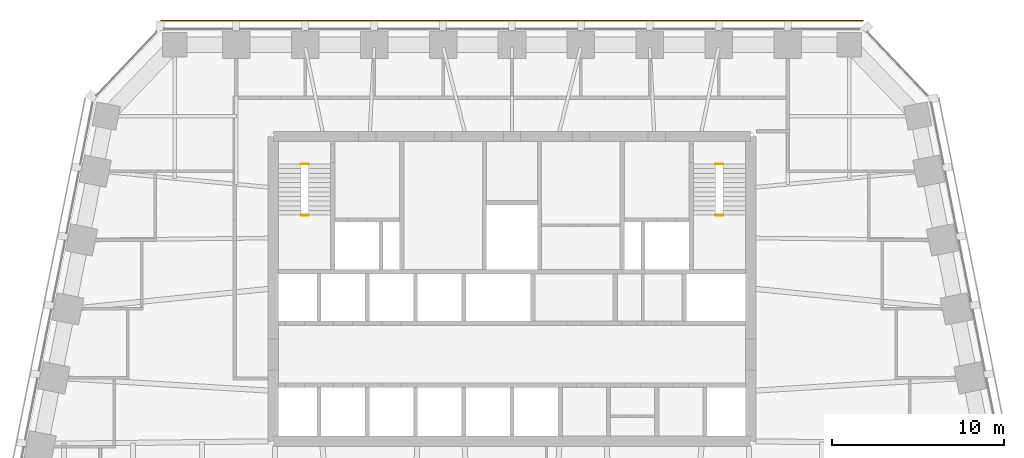
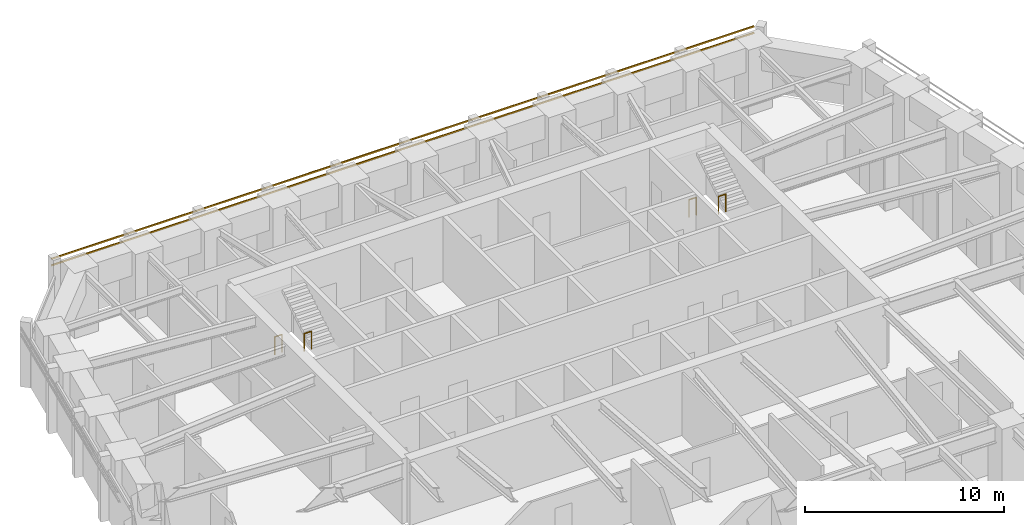
# One storey, part 11 of 11: 4 railings, 2 shading devices.
"""IFC4 building model written with IfcOpenShell, lengths in metres."""

import ifcopenshell
import ifcopenshell.guid

model = None  # the IFC model being written
_history = None  # IfcOwnerHistory: only IFC2X3 demands one
_inside = {}  # id of a spatial element -> (the spatial element, [elements in it])
_under = {}  # id of a project, library or spatial element -> (it, [spatial elements below it])
_declared = {}  # id of a project -> (the project, [libraries it declares])
_typed = {}  # id of a type object -> (the type object, [elements of that type])
_made_of = {}  # id of a material, layer set ... -> (it, [elements and type objects made of it])


def new_model(schema):
    """Start an empty IFC model of exactly this schema.

    Asked for "IFC4X3", IfcOpenShell would pick the latest addendum, in which some entities
    have other attributes; the version numbers below select the first issue.
    IFC2X3 requires an IfcOwnerHistory on every rooted entity: one is made here for all.
    """
    global model, _history
    if schema == "IFC4X3":
        model = ifcopenshell.file(schema_version=(4, 3, 0, 0))
    else:
        model = ifcopenshell.file(schema=schema)
    _inside.clear()
    _under.clear()
    _declared.clear()
    _typed.clear()
    _made_of.clear()
    _history = None
    if model.schema == "IFC2X3":
        org = make("IfcOrganization", Name="unknown")
        user = make(
            "IfcPersonAndOrganization",
            ThePerson=make("IfcPerson", FamilyName="unknown"),
            TheOrganization=org,
        )
        app = make(
            "IfcApplication",
            ApplicationDeveloper=org,
            Version="unknown",
            ApplicationFullName="unknown",
            ApplicationIdentifier="unknown",
        )
        _history = make(
            "IfcOwnerHistory",
            OwningUser=user,
            OwningApplication=app,
            ChangeAction="ADDED",
            CreationDate=0,
        )
    return model


def make(cls, **values):
    """One entity of the class cls with the attributes given. An attribute that is None is left unset."""
    return model.create_entity(
        cls, **{name: value for name, value in values.items() if value is not None}
    )


def rooted(cls, **values):
    """An entity with a GlobalId (a new one), such as an element, a storey or a relation."""
    return make(cls, GlobalId=ifcopenshell.guid.new(), OwnerHistory=_history, **values)


def si_unit(unit_type, name, prefix=None):
    """IfcSIUnit, for example si_unit("LENGTHUNIT", "METRE", prefix="MILLI")."""
    return make("IfcSIUnit", UnitType=unit_type, Prefix=prefix, Name=name)


def assignment(units):
    """IfcUnitAssignment: the units of a project."""
    return None if units is None else make("IfcUnitAssignment", Units=units)


def point(xyz):
    """IfcCartesianPoint."""
    return None if xyz is None else make("IfcCartesianPoint", Coordinates=xyz)


def direction(xyz):
    """IfcDirection."""
    return None if xyz is None else make("IfcDirection", DirectionRatios=xyz)


def frame(location, z_axis=None, x_axis=None):
    """IfcAxis2Placement3D, a coordinate frame: its origin and axes. An axis left out is left unset."""
    return make(
        "IfcAxis2Placement3D",
        Location=point(location),
        Axis=direction(z_axis),
        RefDirection=direction(x_axis),
    )


def frame_2d(location, x_axis=None):
    """IfcAxis2Placement2D, a coordinate frame in the plane: its origin and x axis."""
    return make(
        "IfcAxis2Placement2D", Location=point(location), RefDirection=direction(x_axis)
    )


def origin():
    """The frame at (0, 0, 0) with its axes left unset."""
    return frame((0.0, 0.0, 0.0))


def origin_2d():
    """The frame at (0, 0) in the plane with its x axis left unset."""
    return frame_2d((0.0, 0.0))


def place(relative_to, where):
    """IfcLocalPlacement: puts the frame where relative to a parent placement (None: the world)."""
    return make(
        "IfcLocalPlacement", PlacementRelTo=relative_to, RelativePlacement=where
    )


def context(
    kind, dimensions, precision=None, world=None, true_north=None, identifier=None
):
    """IfcGeometricRepresentationContext, for example the 3D "Model" context."""
    return make(
        "IfcGeometricRepresentationContext",
        ContextIdentifier=identifier,
        ContextType=kind,
        CoordinateSpaceDimension=dimensions,
        Precision=precision,
        WorldCoordinateSystem=world,
        TrueNorth=true_north,
    )


def subcontext(parent, identifier, kind, view, scale=None):
    """IfcGeometricRepresentationSubContext, for example "Body" below "Model"."""
    return make(
        "IfcGeometricRepresentationSubContext",
        ContextIdentifier=identifier,
        ContextType=kind,
        ParentContext=parent,
        TargetScale=scale,
        TargetView=view,
    )


def project(units=None, contexts=None):
    """IfcProject with its units and contexts."""
    return rooted(
        "IfcProject",
        Name="project",
        RepresentationContexts=contexts,
        UnitsInContext=assignment(units),
    )


def spatial(cls, under=None, at=None, **own):
    """A site, building, storey or space (cls), placed at a placement, below another one or the project."""
    s = rooted(cls, ObjectPlacement=at, **own)
    if under is not None:
        _under.setdefault(under.id(), (under, []))[1].append(s)
    return s


def profile(cls, at=None, kind="AREA", **sizes):
    """A parametric profile (cls). Its sizes go by their IFC names, for example OverallWidth=200.0."""
    return make(cls, ProfileType=kind, Position=at, **sizes)


def rectangle(**sizes):
    """IfcRectangleProfileDef."""
    return profile("IfcRectangleProfileDef", **sizes)


def circle(**sizes):
    """IfcCircleProfileDef."""
    return profile("IfcCircleProfileDef", **sizes)


def extrude(swept, where, along, depth):
    """IfcExtrudedAreaSolid: the profile swept, set in the frame where, extruded along a direction by depth."""
    return make(
        "IfcExtrudedAreaSolid",
        SweptArea=swept,
        Position=where,
        ExtrudedDirection=direction(along),
        Depth=depth,
    )


def shape(context_of_items, identifier, shape_type, items):
    """IfcShapeRepresentation: the items that make up one representation, for example the "Body"."""
    return make(
        "IfcShapeRepresentation",
        ContextOfItems=context_of_items,
        RepresentationIdentifier=identifier,
        RepresentationType=shape_type,
        Items=items,
    )


def material(Name=None, Category=None):
    """IfcMaterial."""
    return make("IfcMaterial", Name=Name, Category=Category)


def material_profile(
    of_material, cross_section, Name=None, Category=None, Priority=None
):
    """IfcMaterialProfile: a cross section and its material."""
    return make(
        "IfcMaterialProfile",
        Name=Name,
        Material=of_material,
        Profile=cross_section,
        Priority=Priority,
        Category=Category,
    )


def profile_set(profiles, Name=None, composite=None):
    """IfcMaterialProfileSet."""
    return make(
        "IfcMaterialProfileSet",
        Name=Name,
        MaterialProfiles=profiles,
        CompositeProfile=composite,
    )


def made_of(thing, what):
    """Note that an element or type object is made of a material, layer set ...; save() writes the relation."""
    if what is not None:
        _made_of.setdefault(what.id(), (what, []))[1].append(thing)
    return thing


def type_object(cls, material=None, **own):
    """A type object (cls), such as IfcWallType, which elements share."""
    return made_of(rooted(cls, **own), material)


def element(
    cls,
    number,
    at=None,
    inside=None,
    cuts=None,
    type_object=None,
    material=None,
    context=None,
    identifier="Body",
    shape_type=None,
    held_by="IfcProductDefinitionShape",
    body=None,
    shapes=None,
    **own,
):
    """One element of the class cls, such as IfcWall. Its Tag is "e" and its number.

    at: its placement. inside: the storey or other place that contains it. cuts: it is an
    opening in that element (IfcRelVoidsElement). A single representation is given by context,
    identifier, shape_type and body (its items); several are given by shapes. held_by: the class
    of the entity that holds the representations. save() writes the other relations.
    """
    e = rooted(cls, Tag="e%d" % number, ObjectPlacement=at, **own)
    if body is not None:
        shapes = [shape(context, identifier, shape_type, body)]
    if shapes is not None:
        e.Representation = make(held_by, Representations=shapes)
    if inside is not None:
        _inside.setdefault(inside.id(), (inside, []))[1].append(e)
    if cuts is not None:
        rooted(
            "IfcRelVoidsElement", RelatingBuildingElement=cuts, RelatedOpeningElement=e
        )
    if type_object is not None:
        _typed.setdefault(type_object.id(), (type_object, []))[1].append(e)
    return made_of(e, material)


def aggregate(whole, parts):
    """IfcRelAggregates: a whole, such as a stair, and the parts it consists of."""
    return rooted("IfcRelAggregates", RelatingObject=whole, RelatedObjects=parts)


def save(model, path):
    """Write the relations noted so far, then the file.

    IfcRelAggregates (storeys below a building ...), IfcRelContainedInSpatialStructure (elements
    in a storey), IfcRelDefinesByType, IfcRelAssociatesMaterial and IfcRelDeclares: one each for
    every whole, place, type object, material and project.
    """
    for whole, parts in _under.values():
        aggregate(whole, parts)
    for where, things in _inside.values():
        rooted(
            "IfcRelContainedInSpatialStructure",
            RelatedElements=things,
            RelatingStructure=where,
        )
    for kind, things in _typed.values():
        rooted("IfcRelDefinesByType", RelatedObjects=things, RelatingType=kind)
    for what, things in _made_of.values():
        rooted("IfcRelAssociatesMaterial", RelatedObjects=things, RelatingMaterial=what)
    for by, libraries in _declared.values():
        rooted("IfcRelDeclares", RelatingContext=by, RelatedDefinitions=libraries)
    model.write(path)


model = new_model("IFC4")

# Units and contexts
model_context = context("Model", 3, precision=1e-05, world=origin(), true_north=direction((0.0, 1.0)))
body_context = subcontext(model_context, "Body", "Model", "MODEL_VIEW")
ifc_project = project(units=[si_unit("LENGTHUNIT", "METRE"), si_unit("AREAUNIT", "SQUARE_METRE"), si_unit("VOLUMEUNIT", "CUBIC_METRE"), si_unit("PLANEANGLEUNIT", "RADIAN"), si_unit("MASSUNIT", "GRAM", prefix="KILO")], contexts=[model_context])

# Site, building, storey
site_placement = place(None, origin())
site = spatial("IfcSite", under=ifc_project, at=site_placement, CompositionType="ELEMENT")
building_placement = place(site_placement, origin())
building = spatial("IfcBuilding", under=site, at=building_placement, Name="Isbrekke Arena Tower", CompositionType="ELEMENT")
storey_placement = place(building_placement, frame((0.0, 0.0, 206.0)))
storey = spatial("IfcBuildingStorey", under=building, at=storey_placement, Name="L47", CompositionType="ELEMENT", Elevation=206.0)

# Shading devices
ifc_material_1 = material(Name="Terracotta", Category="masonry")
ifc_material_profile = material_profile(ifc_material_1, rectangle(XDim=0.06005859375, YDim=0.06005859375, at=origin_2d()), Name="BAGUETTE 60X60")
ifc_profile_set = profile_set([ifc_material_profile], Name="Terracotta")
shading_device_type = type_object("IfcShadingDeviceType", Name="BG1 TERRACOTTA BAGUETTE 60 x 60", PredefinedType="USERDEFINED", material=ifc_profile_set)
for number, where, z_axis, x_axis, name in (
    (1, (20.39990234375, 30.580078125, 3.280029296875), (-1.0, 0.0, 0.0), (0.0, -1.0, 0.0), "BG1 terracotta baguette N1 L47"),
    (2, (20.39990234375, 30.580078125, 3.679931640625), (-1.0, 0.0, 0.0), (0.0, -1.0, 0.0), "BG1 terracotta baguette N2 L47"),
):
    element("IfcShadingDevice", number, at=place(storey_placement, frame(where, z_axis=z_axis, x_axis=x_axis)), inside=storey, type_object=shading_device_type, Name=name, ObjectType="TERRACOTTA BAGUETTE", PredefinedType="USERDEFINED", context=body_context, shape_type="SweptSolid", body=[
        extrude(rectangle(XDim=0.06005859375, YDim=0.06005859375, at=origin_2d()), origin(), (0.0, 0.0, 1.0), 40.7998046875),
    ])

# Railings
ifc_material_2 = material(Name="Steel stair guard, vertical bars, steel handrail", Category="steel")
railing_type = type_object("IfcRailingType", Name="GR3 STAIR WELL GUARD 1100", PredefinedType="GUARDRAIL", material=ifc_material_2)
for number, where, name in (
    (3, (-12.25, 22.25, 0.0), "GR3 stair well guard ST1 L47"),
    (4, (-12.25, 19.280029296875, 2.0), "GR3 stair well guard ST1 L47"),
    (5, (11.824951171875, 22.25, 0.0), "GR3 stair well guard ST2 L47"),
    (6, (11.824951171875, 19.280029296875, 2.0), "GR3 stair well guard ST2 L47"),
):
    element("IfcRailing", number, at=place(storey_placement, frame(where)), inside=storey, type_object=railing_type, Name=name, PredefinedType="GUARDRAIL", context=body_context, shape_type="SweptSolid", body=[
        extrude(circle(Radius=0.02392578125, at=origin_2d()), frame((0.0, 0.0, 1.076171875), z_axis=(1.0, 0.0, 0.0), x_axis=(0.0, 1.0, 0.0)), (0.0, 0.0, 1.0), 0.425048828125),
        extrude(circle(Radius=0.02099609375, at=origin_2d()), origin(), (0.0, 0.0, 1.0), 1.052001953125),
        extrude(circle(Radius=0.02099609375, at=origin_2d()), frame((0.425048828125, 0.0, 0.0)), (0.0, 0.0, 1.0), 1.052001953125),
    ])

save(model, "model.ifc")
